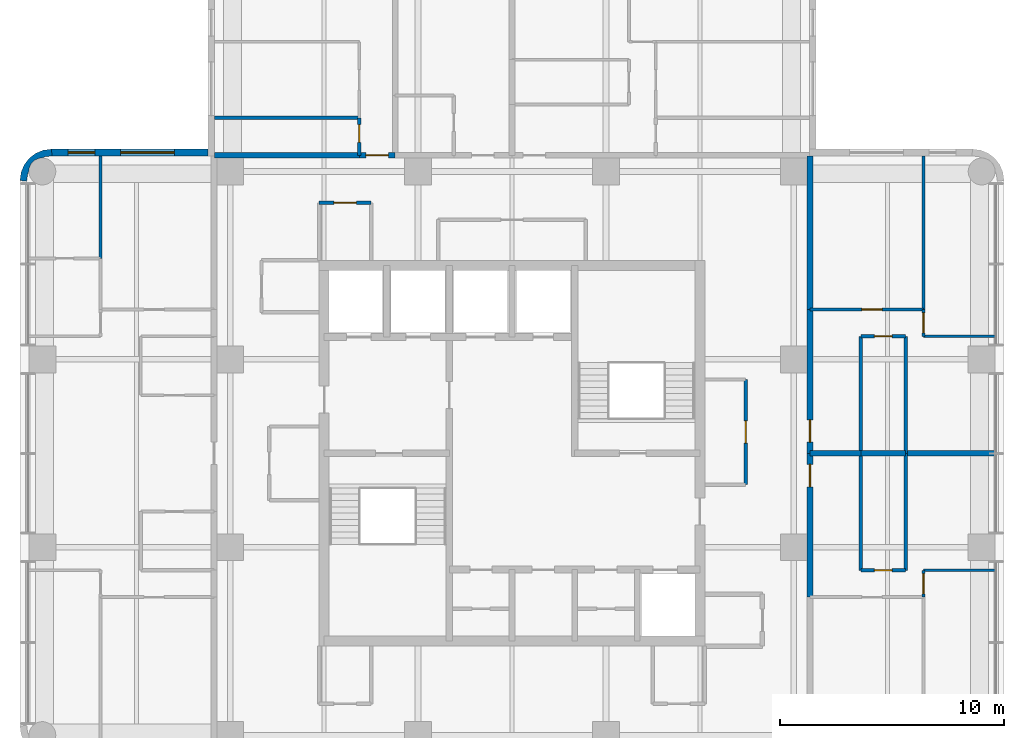
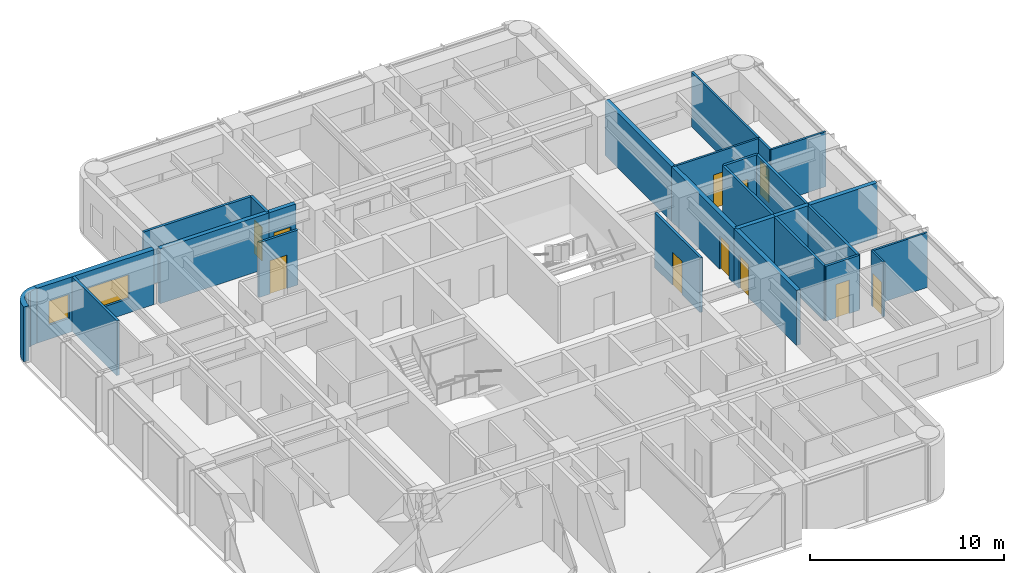
# One storey, part 7 of 10: 27 walls, 11 doors, 2 windows, 13 openings.
"""IFC4 building model written with IfcOpenShell, lengths in metres."""

import ifcopenshell
import ifcopenshell.guid

model = None  # the IFC model being written
_history = None  # IfcOwnerHistory: only IFC2X3 demands one
_inside = {}  # id of a spatial element -> (the spatial element, [elements in it])
_under = {}  # id of a project, library or spatial element -> (it, [spatial elements below it])
_declared = {}  # id of a project -> (the project, [libraries it declares])
_typed = {}  # id of a type object -> (the type object, [elements of that type])
_made_of = {}  # id of a material, layer set ... -> (it, [elements and type objects made of it])


def new_model(schema):
    """Start an empty IFC model of exactly this schema.

    Asked for "IFC4X3", IfcOpenShell would pick the latest addendum, in which some entities
    have other attributes; the version numbers below select the first issue.
    IFC2X3 requires an IfcOwnerHistory on every rooted entity: one is made here for all.
    """
    global model, _history
    if schema == "IFC4X3":
        model = ifcopenshell.file(schema_version=(4, 3, 0, 0))
    else:
        model = ifcopenshell.file(schema=schema)
    _inside.clear()
    _under.clear()
    _declared.clear()
    _typed.clear()
    _made_of.clear()
    _history = None
    if model.schema == "IFC2X3":
        org = make("IfcOrganization", Name="unknown")
        user = make(
            "IfcPersonAndOrganization",
            ThePerson=make("IfcPerson", FamilyName="unknown"),
            TheOrganization=org,
        )
        app = make(
            "IfcApplication",
            ApplicationDeveloper=org,
            Version="unknown",
            ApplicationFullName="unknown",
            ApplicationIdentifier="unknown",
        )
        _history = make(
            "IfcOwnerHistory",
            OwningUser=user,
            OwningApplication=app,
            ChangeAction="ADDED",
            CreationDate=0,
        )
    return model


def make(cls, **values):
    """One entity of the class cls with the attributes given. An attribute that is None is left unset."""
    return model.create_entity(
        cls, **{name: value for name, value in values.items() if value is not None}
    )


def rooted(cls, **values):
    """An entity with a GlobalId (a new one), such as an element, a storey or a relation."""
    return make(cls, GlobalId=ifcopenshell.guid.new(), OwnerHistory=_history, **values)


def si_unit(unit_type, name, prefix=None):
    """IfcSIUnit, for example si_unit("LENGTHUNIT", "METRE", prefix="MILLI")."""
    return make("IfcSIUnit", UnitType=unit_type, Prefix=prefix, Name=name)


def assignment(units):
    """IfcUnitAssignment: the units of a project."""
    return None if units is None else make("IfcUnitAssignment", Units=units)


def point(xyz):
    """IfcCartesianPoint."""
    return None if xyz is None else make("IfcCartesianPoint", Coordinates=xyz)


def direction(xyz):
    """IfcDirection."""
    return None if xyz is None else make("IfcDirection", DirectionRatios=xyz)


def frame(location, z_axis=None, x_axis=None):
    """IfcAxis2Placement3D, a coordinate frame: its origin and axes. An axis left out is left unset."""
    return make(
        "IfcAxis2Placement3D",
        Location=point(location),
        Axis=direction(z_axis),
        RefDirection=direction(x_axis),
    )


def frame_2d(location, x_axis=None):
    """IfcAxis2Placement2D, a coordinate frame in the plane: its origin and x axis."""
    return make(
        "IfcAxis2Placement2D", Location=point(location), RefDirection=direction(x_axis)
    )


def origin():
    """The frame at (0, 0, 0) with its axes left unset."""
    return frame((0.0, 0.0, 0.0))


def place(relative_to, where):
    """IfcLocalPlacement: puts the frame where relative to a parent placement (None: the world)."""
    return make(
        "IfcLocalPlacement", PlacementRelTo=relative_to, RelativePlacement=where
    )


def context(
    kind, dimensions, precision=None, world=None, true_north=None, identifier=None
):
    """IfcGeometricRepresentationContext, for example the 3D "Model" context."""
    return make(
        "IfcGeometricRepresentationContext",
        ContextIdentifier=identifier,
        ContextType=kind,
        CoordinateSpaceDimension=dimensions,
        Precision=precision,
        WorldCoordinateSystem=world,
        TrueNorth=true_north,
    )


def subcontext(parent, identifier, kind, view, scale=None):
    """IfcGeometricRepresentationSubContext, for example "Body" below "Model"."""
    return make(
        "IfcGeometricRepresentationSubContext",
        ContextIdentifier=identifier,
        ContextType=kind,
        ParentContext=parent,
        TargetScale=scale,
        TargetView=view,
    )


def project(units=None, contexts=None):
    """IfcProject with its units and contexts."""
    return rooted(
        "IfcProject",
        Name="project",
        RepresentationContexts=contexts,
        UnitsInContext=assignment(units),
    )


def spatial(cls, under=None, at=None, **own):
    """A site, building, storey or space (cls), placed at a placement, below another one or the project."""
    s = rooted(cls, ObjectPlacement=at, **own)
    if under is not None:
        _under.setdefault(under.id(), (under, []))[1].append(s)
    return s


def polyline(points):
    """IfcPolyline through the points."""
    return make("IfcPolyline", Points=[point(p) for p in points])


def profile(cls, at=None, kind="AREA", **sizes):
    """A parametric profile (cls). Its sizes go by their IFC names, for example OverallWidth=200.0."""
    return make(cls, ProfileType=kind, Position=at, **sizes)


def rectangle(**sizes):
    """IfcRectangleProfileDef."""
    return profile("IfcRectangleProfileDef", **sizes)


def outline(outer, holes=None, kind="AREA"):
    """IfcArbitraryClosedProfileDef: a profile drawn as a closed curve; with holes, ...WithVoids."""
    if holes is None:
        return make("IfcArbitraryClosedProfileDef", ProfileType=kind, OuterCurve=outer)
    return make(
        "IfcArbitraryProfileDefWithVoids",
        ProfileType=kind,
        OuterCurve=outer,
        InnerCurves=holes,
    )


def extrude(swept, where, along, depth):
    """IfcExtrudedAreaSolid: the profile swept, set in the frame where, extruded along a direction by depth."""
    return make(
        "IfcExtrudedAreaSolid",
        SweptArea=swept,
        Position=where,
        ExtrudedDirection=direction(along),
        Depth=depth,
    )


def shape(context_of_items, identifier, shape_type, items):
    """IfcShapeRepresentation: the items that make up one representation, for example the "Body"."""
    return make(
        "IfcShapeRepresentation",
        ContextOfItems=context_of_items,
        RepresentationIdentifier=identifier,
        RepresentationType=shape_type,
        Items=items,
    )


def material(Name=None, Category=None):
    """IfcMaterial."""
    return make("IfcMaterial", Name=Name, Category=Category)


def layer(
    of_material, thickness, ventilated=None, Name=None, Category=None, Priority=None
):
    """IfcMaterialLayer: one layer of a wall or slab, of a material (None: an air gap)."""
    return make(
        "IfcMaterialLayer",
        Material=of_material,
        LayerThickness=thickness,
        IsVentilated=ventilated,
        Name=Name,
        Category=Category,
        Priority=Priority,
    )


def layer_set(layers, Name=None):
    """IfcMaterialLayerSet."""
    return make("IfcMaterialLayerSet", MaterialLayers=layers, LayerSetName=Name)


def made_of(thing, what):
    """Note that an element or type object is made of a material, layer set ...; save() writes the relation."""
    if what is not None:
        _made_of.setdefault(what.id(), (what, []))[1].append(thing)
    return thing


def type_object(cls, material=None, **own):
    """A type object (cls), such as IfcWallType, which elements share."""
    return made_of(rooted(cls, **own), material)


def element(
    cls,
    number,
    at=None,
    inside=None,
    cuts=None,
    type_object=None,
    material=None,
    context=None,
    identifier="Body",
    shape_type=None,
    held_by="IfcProductDefinitionShape",
    body=None,
    shapes=None,
    **own,
):
    """One element of the class cls, such as IfcWall. Its Tag is "e" and its number.

    at: its placement. inside: the storey or other place that contains it. cuts: it is an
    opening in that element (IfcRelVoidsElement). A single representation is given by context,
    identifier, shape_type and body (its items); several are given by shapes. held_by: the class
    of the entity that holds the representations. save() writes the other relations.
    """
    e = rooted(cls, Tag="e%d" % number, ObjectPlacement=at, **own)
    if body is not None:
        shapes = [shape(context, identifier, shape_type, body)]
    if shapes is not None:
        e.Representation = make(held_by, Representations=shapes)
    if inside is not None:
        _inside.setdefault(inside.id(), (inside, []))[1].append(e)
    if cuts is not None:
        rooted(
            "IfcRelVoidsElement", RelatingBuildingElement=cuts, RelatedOpeningElement=e
        )
    if type_object is not None:
        _typed.setdefault(type_object.id(), (type_object, []))[1].append(e)
    return made_of(e, material)


def fill(opening, filler):
    """IfcRelFillsElement: the door or window that sits in an opening."""
    return rooted(
        "IfcRelFillsElement",
        RelatingOpeningElement=opening,
        RelatedBuildingElement=filler,
    )


def aggregate(whole, parts):
    """IfcRelAggregates: a whole, such as a stair, and the parts it consists of."""
    return rooted("IfcRelAggregates", RelatingObject=whole, RelatedObjects=parts)


def save(model, path):
    """Write the relations noted so far, then the file.

    IfcRelAggregates (storeys below a building ...), IfcRelContainedInSpatialStructure (elements
    in a storey), IfcRelDefinesByType, IfcRelAssociatesMaterial and IfcRelDeclares: one each for
    every whole, place, type object, material and project.
    """
    for whole, parts in _under.values():
        aggregate(whole, parts)
    for where, things in _inside.values():
        rooted(
            "IfcRelContainedInSpatialStructure",
            RelatedElements=things,
            RelatingStructure=where,
        )
    for kind, things in _typed.values():
        rooted("IfcRelDefinesByType", RelatedObjects=things, RelatingType=kind)
    for what, things in _made_of.values():
        rooted("IfcRelAssociatesMaterial", RelatedObjects=things, RelatingMaterial=what)
    for by, libraries in _declared.values():
        rooted("IfcRelDeclares", RelatingContext=by, RelatedDefinitions=libraries)
    model.write(path)


model = new_model("IFC4")

# Units and contexts
model_context = context("Model", 3, precision=1e-05, world=origin(), true_north=direction((0.0, 1.0)))
body_context = subcontext(model_context, "Body", "Model", "MODEL_VIEW")
ifc_project = project(units=[si_unit("LENGTHUNIT", "METRE"), si_unit("AREAUNIT", "SQUARE_METRE"), si_unit("VOLUMEUNIT", "CUBIC_METRE"), si_unit("PLANEANGLEUNIT", "RADIAN"), si_unit("MASSUNIT", "GRAM", prefix="KILO")], contexts=[model_context])

# Site, building, storey
site_placement = place(None, origin())
site = spatial("IfcSite", under=ifc_project, at=site_placement, CompositionType="ELEMENT")
building_placement = place(site_placement, origin())
building = spatial("IfcBuilding", under=site, at=building_placement, Name="Torre Alcanfor", CompositionType="ELEMENT")
storey_placement = place(building_placement, frame((0.0, 0.0, 279.300048828125)))
storey = spatial("IfcBuildingStorey", under=building, at=storey_placement, Name="L73", CompositionType="ELEMENT", Elevation=279.300048828125)

# Wall, opening, door
ifc_material_1 = material(Name="Concrete block masonry, hollow blocks NMX-C-404 9 MPa", Category="masonry")
ifc_layer_1 = layer(ifc_material_1, 0.25)
ifc_layer_set_1 = layer_set([ifc_layer_1], Name="Apartment entrance wall 250 EI 60")
wall_type_1 = type_object("IfcWallType", Name="Apartment entrance wall 250 EI 60", PredefinedType="PARTITIONING", material=ifc_layer_set_1)
wall_1_placement = place(storey_placement, frame((22.571044921875, 42.72509765625, 0.0), z_axis=(0.0, 0.0, 1.0), x_axis=(1.0, 0.0, 0.0)))
wall_1 = element("IfcWall", 1, at=wall_1_placement, inside=storey, type_object=wall_type_1, Name="Partition L73-CORR / L73-N1B-LIVING", PredefinedType="PARTITIONING", context=body_context, shape_type="SweptSolid", body=[
    extrude(rectangle(XDim=1.599853515625, YDim=0.25, at=frame_2d((0.7998046875, 0.0))), origin(), (0.0, 0.0, 1.0), 3.449951171875),
])
opening_1_placement = place(wall_1_placement, frame((0.300048828125, 0.0, 0.0)))
opening_1 = element("IfcOpeningElement", 2, at=opening_1_placement, cuts=wall_1, Name="Opening D-A1", PredefinedType="OPENING", context=body_context, shape_type="SweptSolid", body=[
    extrude(rectangle(XDim=1.0, YDim=2.10009765625, at=frame_2d((0.5, 1.050048828125))), frame((0.0, 0.135009765625, 0.0), z_axis=(0.0, -1.0, 0.0), x_axis=(1.0, 0.0, 0.0)), (0.0, 0.0, 1.0), 0.27001953125),
])
ifc_material_2 = material(Name="Galvanised steel sheet ASTM A653", Category="steel")
door_type_1 = type_object("IfcDoorType", Name="Apartment entrance door FD60 1000x2100", OperationType="SINGLE_SWING_LEFT", PredefinedType="DOOR", material=ifc_material_2)
door_1_placement = place(opening_1_placement, origin())
door_1 = element("IfcDoor", 3, at=door_1_placement, inside=storey, type_object=door_type_1, Name="Apartment entrance L73-N1B", OperationType="SINGLE_SWING_LEFT", OverallHeight=2.10009765625, OverallWidth=1.0, PredefinedType="DOOR", context=body_context, shape_type="SweptSolid", body=[
    extrude(rectangle(XDim=1.0, YDim=2.10009765625, at=frame_2d((0.5, 1.050048828125))), frame((0.0, 0.02490234375, 0.0), z_axis=(0.0, -1.0, 0.0), x_axis=(1.0, 0.0, 0.0)), (0.0, 0.0, 1.0), 0.050048828125),
])
fill(opening_1, door_1)

# Wall
wall_2_placement = place(storey_placement, frame((16.10009765625, 42.72509765625, 0.0), z_axis=(0.0, 0.0, 1.0), x_axis=(1.0, 0.0, 0.0)))
element("IfcWall", 4, at=wall_2_placement, inside=storey, type_object=wall_type_1, Name="Partition L73-CORR / L73-N1B-BATH", PredefinedType="PARTITIONING", context=body_context, shape_type="SweptSolid", body=[
    extrude(rectangle(XDim=6.470947265625, YDim=0.25, at=frame_2d((3.2353515625, 0.0))), origin(), (0.0, 0.0, 1.0), 3.449951171875),
])

# Wall, opening, door
wall_3_placement = place(storey_placement, frame((42.72509765625, 35.8291015625, 0.0), z_axis=(0.0, 0.0, 1.0), x_axis=(0.0, -1.0, 0.0)))
wall_3 = element("IfcWall", 5, at=wall_3_placement, inside=storey, type_object=wall_type_1, Name="Partition L73-CORR / L73-E1-LIVING", PredefinedType="PARTITIONING", context=body_context, shape_type="SweptSolid", body=[
    extrude(rectangle(XDim=6.42919921875, YDim=0.25, at=frame_2d((3.214599609375, 0.0))), origin(), (0.0, 0.0, 1.0), 3.449951171875),
])
opening_2_placement = place(wall_3_placement, frame((4.928955078125, 0.0, 0.0)))
opening_2 = element("IfcOpeningElement", 6, at=opening_2_placement, cuts=wall_3, Name="Opening D-A1", PredefinedType="OPENING", context=body_context, shape_type="SweptSolid", body=[
    extrude(rectangle(XDim=1.0, YDim=2.10009765625, at=frame_2d((0.5, 1.050048828125))), frame((0.0, 0.135009765625, 0.0), z_axis=(0.0, -1.0, 0.0), x_axis=(1.0, 0.0, 0.0)), (0.0, 0.0, 1.0), 0.27001953125),
])
door_2_placement = place(opening_2_placement, origin())
door_2 = element("IfcDoor", 7, at=door_2_placement, inside=storey, type_object=door_type_1, Name="Apartment entrance L73-E1", OperationType="SINGLE_SWING_RIGHT", OverallHeight=2.10009765625, OverallWidth=1.0, PredefinedType="DOOR", context=body_context, shape_type="SweptSolid", body=[
    extrude(rectangle(XDim=1.0, YDim=2.10009765625, at=frame_2d((0.5, 1.050048828125))), frame((0.0, 0.02490234375, 0.0), z_axis=(0.0, -1.0, 0.0), x_axis=(1.0, 0.0, 0.0)), (0.0, 0.0, 1.0), 0.050048828125),
])
fill(opening_2, door_2)

# Wall
wall_4_placement = place(storey_placement, frame((42.72509765625, 42.699951171875, 0.0), z_axis=(0.0, 0.0, 1.0), x_axis=(0.0, -1.0, 0.0)))
element("IfcWall", 8, at=wall_4_placement, inside=storey, type_object=wall_type_1, Name="Partition L73-CORR / L73-E1-BED2", PredefinedType="PARTITIONING", context=body_context, shape_type="SweptSolid", body=[
    extrude(rectangle(XDim=6.870849609375, YDim=0.25, at=frame_2d((3.435546875, 0.0))), origin(), (0.0, 0.0, 1.0), 3.449951171875),
])

# Wall, opening, door
wall_5_placement = place(storey_placement, frame((42.72509765625, 29.39990234375, 0.0), z_axis=(0.0, 0.0, 1.0), x_axis=(0.0, -1.0, 0.0)))
wall_5 = element("IfcWall", 9, at=wall_5_placement, inside=storey, type_object=wall_type_1, Name="Partition L73-CORR / L73-E2-LIVING", PredefinedType="PARTITIONING", context=body_context, shape_type="SweptSolid", body=[
    extrude(rectangle(XDim=6.428955078125, YDim=0.25, at=frame_2d((3.21435546875, 0.0))), origin(), (0.0, 0.0, 1.0), 3.449951171875),
])
opening_3_placement = place(wall_5_placement, frame((0.5, 0.0, 0.0)))
opening_3 = element("IfcOpeningElement", 10, at=opening_3_placement, cuts=wall_5, Name="Opening D-A1", PredefinedType="OPENING", context=body_context, shape_type="SweptSolid", body=[
    extrude(rectangle(XDim=1.0, YDim=2.10009765625, at=frame_2d((0.5, 1.050048828125))), frame((0.0, 0.135009765625, 0.0), z_axis=(0.0, -1.0, 0.0), x_axis=(1.0, 0.0, 0.0)), (0.0, 0.0, 1.0), 0.27001953125),
])
door_3_placement = place(opening_3_placement, origin())
door_3 = element("IfcDoor", 11, at=door_3_placement, inside=storey, type_object=door_type_1, Name="Apartment entrance L73-E2", OperationType="SINGLE_SWING_LEFT", OverallHeight=2.10009765625, OverallWidth=1.0, PredefinedType="DOOR", context=body_context, shape_type="SweptSolid", body=[
    extrude(rectangle(XDim=1.0, YDim=2.10009765625, at=frame_2d((0.5, 1.050048828125))), frame((0.0, 0.02490234375, 0.0), z_axis=(0.0, -1.0, 0.0), x_axis=(1.0, 0.0, 0.0)), (0.0, 0.0, 1.0), 0.050048828125),
])
fill(opening_3, door_3)

ifc_material_3 = material(Name="Gypsum board on steel studs", Category="steel")
ifc_layer_2 = layer(ifc_material_3, 0.1201171875)
ifc_layer_set_2 = layer_set([ifc_layer_2], Name="Apartment partition 120")
wall_type_2 = type_object("IfcWallType", Name="Apartment partition 120", PredefinedType="PARTITIONING", material=ifc_layer_set_2)
wall_6_placement = place(storey_placement, frame((42.72509765625, 35.8291015625, 0.0), z_axis=(0.0, 0.0, 1.0), x_axis=(1.0, 0.0, 0.0)))
wall_6 = element("IfcWall", 12, at=wall_6_placement, inside=storey, type_object=wall_type_2, Name="Partition L73-E1-LIVING / L73-E1-BED2", PredefinedType="PARTITIONING", context=body_context, shape_type="SweptSolid", body=[
    extrude(rectangle(XDim=5.074951171875, YDim=0.1201171875, at=frame_2d((2.53759765625, 0.0))), origin(), (0.0, 0.0, 1.0), 3.449951171875),
])
opening_4_placement = place(wall_6_placement, frame((2.324951171875, 0.0, 0.0)))
opening_4 = element("IfcOpeningElement", 13, at=opening_4_placement, cuts=wall_6, Name="Opening D-R1", PredefinedType="OPENING", context=body_context, shape_type="SweptSolid", body=[
    extrude(rectangle(XDim=0.89990234375, YDim=2.10009765625, at=frame_2d((0.449951171875, 1.050048828125))), frame((0.0, 0.070068359375, 0.0), z_axis=(0.0, -1.0, 0.0), x_axis=(1.0, 0.0, 0.0)), (0.0, 0.0, 1.0), 0.14013671875),
])
ifc_material_4 = material(Name="Timber", Category="wood")
door_type_2 = type_object("IfcDoorType", Name="Internal door 900x2100", OperationType="SINGLE_SWING_LEFT", PredefinedType="DOOR", material=ifc_material_4)
door_4_placement = place(opening_4_placement, origin())
door_4 = element("IfcDoor", 14, at=door_4_placement, inside=storey, type_object=door_type_2, Name="Door L73-E1 bed2", OperationType="SINGLE_SWING_RIGHT", OverallHeight=2.10009765625, OverallWidth=0.89990234375, PredefinedType="DOOR", context=body_context, shape_type="SweptSolid", body=[
    extrude(rectangle(XDim=0.89990234375, YDim=2.10009765625, at=frame_2d((0.449951171875, 1.050048828125))), frame((0.0, 0.02490234375, 0.0), z_axis=(0.0, -1.0, 0.0), x_axis=(1.0, 0.0, 0.0)), (0.0, 0.0, 1.0), 0.050048828125),
])
fill(opening_4, door_4)

wall_7_placement = place(storey_placement, frame((47.800048828125, 35.8291015625, 0.0), z_axis=(0.0, 0.0, 1.0), x_axis=(0.0, -1.0, 0.0)))
wall_7 = element("IfcWall", 15, at=wall_7_placement, inside=storey, type_object=wall_type_2, Name="Partition L73-E1-LIVING / L73-E1-MASTER", PredefinedType="PARTITIONING", context=body_context, shape_type="SweptSolid", body=[
    extrude(rectangle(XDim=1.2001953125, YDim=0.1201171875, at=frame_2d((0.60009765625, 0.0))), origin(), (0.0, 0.0, 1.0), 3.449951171875),
])
opening_5_placement = place(wall_7_placement, frame((0.14892578125, 0.0, 0.0)))
opening_5 = element("IfcOpeningElement", 16, at=opening_5_placement, cuts=wall_7, Name="Opening D-R1", PredefinedType="OPENING", context=body_context, shape_type="SweptSolid", body=[
    extrude(rectangle(XDim=0.89990234375, YDim=2.10009765625, at=frame_2d((0.449951171875, 1.050048828125))), frame((0.0, 0.070068359375, 0.0), z_axis=(0.0, -1.0, 0.0), x_axis=(1.0, 0.0, 0.0)), (0.0, 0.0, 1.0), 0.14013671875),
])
door_5_placement = place(opening_5_placement, origin())
door_5 = element("IfcDoor", 17, at=door_5_placement, inside=storey, type_object=door_type_2, Name="Door L73-E1 master", OperationType="SINGLE_SWING_RIGHT", OverallHeight=2.10009765625, OverallWidth=0.89990234375, PredefinedType="DOOR", context=body_context, shape_type="SweptSolid", body=[
    extrude(rectangle(XDim=0.89990234375, YDim=2.10009765625, at=frame_2d((0.449951171875, 1.050048828125))), frame((0.0, 0.02490234375, 0.0), z_axis=(0.0, -1.0, 0.0), x_axis=(1.0, 0.0, 0.0)), (0.0, 0.0, 1.0), 0.050048828125),
])
fill(opening_5, door_5)

# Walls
wall_8_placement = place(storey_placement, frame((47.800048828125, 34.62890625, 0.0), z_axis=(0.0, 0.0, 1.0), x_axis=(1.0, 0.0, 0.0)))
element("IfcWall", 18, at=wall_8_placement, inside=storey, type_object=wall_type_2, Name="Partition L73-E1-LIVING / L73-E1-MASTER", PredefinedType="PARTITIONING", context=body_context, shape_type="SweptSolid", body=[
    extrude(rectangle(XDim=3.25, YDim=0.1201171875, at=frame_2d((1.625, 0.0))), origin(), (0.0, 0.0, 1.0), 3.449951171875),
])
wall_9_placement = place(storey_placement, frame((47.800048828125, 35.8291015625, 0.0), z_axis=(0.0, 0.0, 1.0), x_axis=(0.0, 1.0, 0.0)))
element("IfcWall", 19, at=wall_9_placement, inside=storey, type_object=wall_type_2, Name="Partition L73-E1-BED2 / L73-E1-MASTER", PredefinedType="PARTITIONING", context=body_context, shape_type="SweptSolid", body=[
    extrude(rectangle(XDim=6.870849609375, YDim=0.1201171875, at=frame_2d((3.435546875, 0.0))), origin(), (0.0, 0.0, 1.0), 3.449951171875),
])
wall_10_placement = place(storey_placement, frame((51.050048828125, 24.1708984375, 0.0), z_axis=(0.0, 0.0, 1.0), x_axis=(-1.0, 0.0, 0.0)))
element("IfcWall", 20, at=wall_10_placement, inside=storey, type_object=wall_type_2, Name="Partition L73-E2-LIVING / L73-E2-MASTER", PredefinedType="PARTITIONING", context=body_context, shape_type="SweptSolid", body=[
    extrude(rectangle(XDim=3.25, YDim=0.1201171875, at=frame_2d((1.625, 0.0))), origin(), (0.0, 0.0, 1.0), 3.449951171875),
])

# Wall, opening, door
wall_11_placement = place(storey_placement, frame((47.800048828125, 24.1708984375, 0.0), z_axis=(0.0, 0.0, 1.0), x_axis=(0.0, -1.0, 0.0)))
wall_11 = element("IfcWall", 21, at=wall_11_placement, inside=storey, type_object=wall_type_2, Name="Partition L73-E2-LIVING / L73-E2-MASTER", PredefinedType="PARTITIONING", context=body_context, shape_type="SweptSolid", body=[
    extrude(rectangle(XDim=1.199951171875, YDim=0.1201171875, at=frame_2d((0.60009765625, 0.0))), origin(), (0.0, 0.0, 1.0), 3.449951171875),
])
opening_6_placement = place(wall_11_placement, frame((0.15087890625, 0.0, 0.0)))
opening_6 = element("IfcOpeningElement", 22, at=opening_6_placement, cuts=wall_11, Name="Opening D-R1", PredefinedType="OPENING", context=body_context, shape_type="SweptSolid", body=[
    extrude(rectangle(XDim=0.89990234375, YDim=2.10009765625, at=frame_2d((0.449951171875, 1.050048828125))), frame((0.0, 0.070068359375, 0.0), z_axis=(0.0, -1.0, 0.0), x_axis=(1.0, 0.0, 0.0)), (0.0, 0.0, 1.0), 0.14013671875),
])
door_6_placement = place(opening_6_placement, origin())
door_6 = element("IfcDoor", 23, at=door_6_placement, inside=storey, type_object=door_type_2, Name="Door L73-E2 master", OperationType="SINGLE_SWING_LEFT", OverallHeight=2.10009765625, OverallWidth=0.89990234375, PredefinedType="DOOR", context=body_context, shape_type="SweptSolid", body=[
    extrude(rectangle(XDim=0.89990234375, YDim=2.10009765625, at=frame_2d((0.449951171875, 1.050048828125))), frame((0.0, 0.02490234375, 0.0), z_axis=(0.0, -1.0, 0.0), x_axis=(1.0, 0.0, 0.0)), (0.0, 0.0, 1.0), 0.050048828125),
])
fill(opening_6, door_6)

# Wall, openings, windows
ifc_material_5 = material(Name="Limestone cladding", Category="masonry")
ifc_layer_3 = layer(ifc_material_5, 0.0400390625, Name="Facing")
ifc_material_6 = material(Name="Ventilated air cavity")
ifc_layer_4 = layer(ifc_material_6, 0.02001953125, ventilated=True, Name="Ventilated joint")
ifc_material_7 = material(Name="Mineral wool insulation", Category="insulation")
ifc_layer_5 = layer(ifc_material_7, 0.10009765625, Name="Insulation")
ifc_material_8 = material(Name="Concrete f'c 35 MPa", Category="concrete")
ifc_layer_6 = layer(ifc_material_8, 0.139892578125, Name="Backing")
ifc_layer_set_3 = layer_set([ifc_layer_3, ifc_layer_4, ifc_layer_5, ifc_layer_6], Name="External wall stone-clad 300")
wall_type_3 = type_object("IfcWallType", Name="External wall stone-clad 300", PredefinedType="SOLIDWALL", material=ifc_layer_set_3)
wall_12_placement = place(storey_placement, frame((15.800048828125, 42.85009765625, 0.0), z_axis=(0.0, 0.0, 1.0), x_axis=(-1.0, 0.0, 0.0)))
wall_12 = element("IfcWall", 24, at=wall_12_placement, inside=storey, type_object=wall_type_3, Name="External wall L73 1", PredefinedType="SOLIDWALL", context=body_context, shape_type="SweptSolid", body=[
    extrude(rectangle(XDim=7.0, YDim=0.300048828125, at=frame_2d((3.5, 0.0))), origin(), (0.0, 0.0, 1.0), 3.449951171875),
])
opening_7_placement = place(wall_12_placement, frame((1.5, 0.0, 0.89990234375)))
opening_7 = element("IfcOpeningElement", 25, at=opening_7_placement, cuts=wall_12, Name="Opening W1", PredefinedType="OPENING", context=body_context, shape_type="SweptSolid", body=[
    extrude(rectangle(XDim=2.39990234375, YDim=1.5, at=frame_2d((1.199951171875, 0.75))), frame((0.0, 0.159912109375, 0.0), z_axis=(0.0, -1.0, 0.0), x_axis=(1.0, 0.0, 0.0)), (0.0, 0.0, 1.0), 0.320068359375),
])
opening_8_placement = place(wall_12_placement, frame((5.050048828125, 0.0, 0.89990234375)))
opening_8 = element("IfcOpeningElement", 26, at=opening_8_placement, cuts=wall_12, Name="Opening W4", PredefinedType="OPENING", context=body_context, shape_type="SweptSolid", body=[
    extrude(rectangle(XDim=1.199951171875, YDim=1.5, at=frame_2d((0.60009765625, 0.75))), frame((0.0, 0.159912109375, 0.0), z_axis=(0.0, -1.0, 0.0), x_axis=(1.0, 0.0, 0.0)), (0.0, 0.0, 1.0), 0.320068359375),
])
ifc_material_9 = material(Name="Aluminium frame with clear double glazing", Category="aluminium")
window_type_1 = type_object("IfcWindowType", Name="Window bedroom 1200x1500", PartitioningType="SINGLE_PANEL", PredefinedType="WINDOW", material=ifc_material_9)
window_1_placement = place(opening_8_placement, origin())
window_1 = element("IfcWindow", 27, at=window_1_placement, inside=storey, type_object=window_type_1, Name="Window W4 L73-W2", OverallHeight=1.5, OverallWidth=1.199951171875, PartitioningType="SINGLE_PANEL", PredefinedType="WINDOW", context=body_context, shape_type="SweptSolid", body=[
    extrude(rectangle(XDim=1.199951171875, YDim=1.5, at=frame_2d((0.60009765625, 0.75))), frame((0.0, 0.030029296875, 0.0), z_axis=(0.0, -1.0, 0.0), x_axis=(1.0, 0.0, 0.0)), (0.0, 0.0, 1.0), 0.06005859375),
])
fill(opening_8, window_1)
ifc_material_10 = material(Name="Aluminium frame with clear double glazing", Category="aluminium")
window_type_2 = type_object("IfcWindowType", Name="Window bedroom 2400x1500", PartitioningType="SINGLE_PANEL", PredefinedType="WINDOW", material=ifc_material_10)
window_2_placement = place(opening_7_placement, origin())
window_2 = element("IfcWindow", 28, at=window_2_placement, inside=storey, type_object=window_type_2, Name="Window W1 L73-W2", OverallHeight=1.5, OverallWidth=2.39990234375, PartitioningType="SINGLE_PANEL", PredefinedType="WINDOW", context=body_context, shape_type="SweptSolid", body=[
    extrude(rectangle(XDim=2.39990234375, YDim=1.5, at=frame_2d((1.199951171875, 0.75))), frame((0.0, 0.030029296875, 0.0), z_axis=(0.0, -1.0, 0.0), x_axis=(1.0, 0.0, 0.0)), (0.0, 0.0, 1.0), 0.06005859375),
])
fill(opening_7, window_2)

# Walls
ifc_material_11 = material(Name="Concrete block masonry, hollow blocks NMX-C-404 9 MPa", Category="masonry")
ifc_layer_7 = layer(ifc_material_11, 0.25)
ifc_layer_set_4 = layer_set([ifc_layer_7], Name="Party wall 250 EI 60")
wall_type_4 = type_object("IfcWallType", Name="Party wall 250 EI 60", PredefinedType="PARTITIONING", material=ifc_layer_set_4)
wall_13_placement = place(storey_placement, frame((45.0, 29.39990234375, 0.0), z_axis=(0.0, 0.0, 1.0), x_axis=(1.0, 0.0, 0.0)))
element("IfcWall", 29, at=wall_13_placement, inside=storey, type_object=wall_type_4, Name="Partition L73-E1-BATH / L73-E2-BATH", PredefinedType="PARTITIONING", context=body_context, shape_type="SweptSolid", body=[
    extrude(rectangle(XDim=2.0, YDim=0.25, at=frame_2d((1.0, 0.0))), origin(), (0.0, 0.0, 1.0), 3.449951171875),
])
wall_14_placement = place(storey_placement, frame((45.0, 29.39990234375, 0.0), z_axis=(0.0, 0.0, 1.0), x_axis=(-1.0, 0.0, 0.0)))
element("IfcWall", 30, at=wall_14_placement, inside=storey, type_object=wall_type_4, Name="Partition L73-E1-LIVING / L73-E2-LIVING", PredefinedType="PARTITIONING", context=body_context, shape_type="SweptSolid", body=[
    extrude(rectangle(XDim=2.27490234375, YDim=0.25, at=frame_2d((1.137451171875, 0.0))), origin(), (0.0, 0.0, 1.0), 3.449951171875),
])
wall_15_placement = place(storey_placement, frame((51.050048828125, 29.39990234375, 0.0), z_axis=(0.0, 0.0, 1.0), x_axis=(-1.0, 0.0, 0.0)))
element("IfcWall", 31, at=wall_15_placement, inside=storey, type_object=wall_type_4, Name="Partition L73-E1-LIVING / L73-E2-LIVING", PredefinedType="PARTITIONING", context=body_context, shape_type="SweptSolid", body=[
    extrude(rectangle(XDim=4.050048828125, YDim=0.25, at=frame_2d((2.02490234375, 0.0))), origin(), (0.0, 0.0, 1.0), 3.449951171875),
])

# Wall, opening, door
ifc_material_12 = material(Name="Concrete block masonry, hollow blocks NMX-C-404 9 MPa", Category="masonry")
ifc_layer_8 = layer(ifc_material_12, 0.14990234375)
ifc_layer_set_5 = layer_set([ifc_layer_8], Name="Residents' room partition 150")
wall_type_5 = type_object("IfcWallType", Name="Residents' room partition 150", PredefinedType="PARTITIONING", material=ifc_layer_set_5)
wall_16_placement = place(storey_placement, frame((23.10009765625, 40.60009765625, 0.0), z_axis=(0.0, 0.0, 1.0), x_axis=(-1.0, 0.0, 0.0)))
wall_16 = element("IfcWall", 32, at=wall_16_placement, inside=storey, type_object=wall_type_5, Name="Partition L73-CORR / L73-G01", PredefinedType="PARTITIONING", context=body_context, shape_type="SweptSolid", body=[
    extrude(rectangle(XDim=2.3251953125, YDim=0.14990234375, at=frame_2d((1.16259765625, 0.0))), origin(), (0.0, 0.0, 1.0), 3.449951171875),
])
opening_9_placement = place(wall_16_placement, frame((0.66259765625, 0.0, 0.0)))
opening_9 = element("IfcOpeningElement", 33, at=opening_9_placement, cuts=wall_16, Name="Opening D-M1", PredefinedType="OPENING", context=body_context, shape_type="SweptSolid", body=[
    extrude(rectangle(XDim=1.0, YDim=2.10009765625, at=frame_2d((0.5, 1.050048828125))), frame((0.0, 0.0849609375, 0.0), z_axis=(0.0, -1.0, 0.0), x_axis=(1.0, 0.0, 0.0)), (0.0, 0.0, 1.0), 0.169921875),
])
ifc_material_13 = material(Name="Timber", Category="wood")
door_type_3 = type_object("IfcDoorType", Name="Residents' room door 1000x2100", OperationType="SINGLE_SWING_LEFT", PredefinedType="DOOR", material=ifc_material_13)
door_7_placement = place(opening_9_placement, origin())
door_7 = element("IfcDoor", 34, at=door_7_placement, inside=storey, type_object=door_type_3, Name="Door L73-G01 parcel room", OperationType="SINGLE_SWING_LEFT", OverallHeight=2.10009765625, OverallWidth=1.0, PredefinedType="DOOR", context=body_context, shape_type="SweptSolid", body=[
    extrude(rectangle(XDim=1.0, YDim=2.10009765625, at=frame_2d((0.5, 1.050048828125))), frame((0.0, 0.02490234375, 0.0), z_axis=(0.0, -1.0, 0.0), x_axis=(1.0, 0.0, 0.0)), (0.0, 0.0, 1.0), 0.050048828125),
])
fill(opening_9, door_7)

wall_17_placement = place(storey_placement, frame((39.85009765625, 28.0, 0.0), z_axis=(0.0, 0.0, 1.0), x_axis=(0.0, 1.0, 0.0)))
wall_17 = element("IfcWall", 35, at=wall_17_placement, inside=storey, type_object=wall_type_5, Name="Partition L73-CORR / L73-G04", PredefinedType="PARTITIONING", context=body_context, shape_type="SweptSolid", body=[
    extrude(rectangle(XDim=4.699951171875, YDim=0.14990234375, at=frame_2d((2.35009765625, 0.0))), origin(), (0.0, 0.0, 1.0), 3.449951171875),
])
opening_10_placement = place(wall_17_placement, frame((1.85009765625, 0.0, 0.0)))
opening_10 = element("IfcOpeningElement", 36, at=opening_10_placement, cuts=wall_17, Name="Opening D-M1", PredefinedType="OPENING", context=body_context, shape_type="SweptSolid", body=[
    extrude(rectangle(XDim=1.0, YDim=2.10009765625, at=frame_2d((0.5, 1.050048828125))), frame((0.0, 0.0849609375, 0.0), z_axis=(0.0, -1.0, 0.0), x_axis=(1.0, 0.0, 0.0)), (0.0, 0.0, 1.0), 0.169921875),
])
door_8_placement = place(opening_10_placement, origin())
door_8 = element("IfcDoor", 37, at=door_8_placement, inside=storey, type_object=door_type_3, Name="Door L73-G04 linen store", OperationType="SINGLE_SWING_LEFT", OverallHeight=2.10009765625, OverallWidth=1.0, PredefinedType="DOOR", context=body_context, shape_type="SweptSolid", body=[
    extrude(rectangle(XDim=1.0, YDim=2.10009765625, at=frame_2d((0.5, 1.050048828125))), frame((0.0, 0.02490234375, 0.0), z_axis=(0.0, -1.0, 0.0), x_axis=(1.0, 0.0, 0.0)), (0.0, 0.0, 1.0), 0.050048828125),
])
fill(opening_10, door_8)

# Wall
ifc_layer_9 = layer(ifc_material_5, 0.0400390625, Name="Facing")
ifc_layer_10 = layer(ifc_material_6, 0.02001953125, ventilated=True, Name="Ventilated joint")
ifc_layer_11 = layer(ifc_material_7, 0.10009765625, Name="Insulation")
ifc_layer_12 = layer(ifc_material_8, 0.139892578125, Name="Backing")
ifc_layer_set_6 = layer_set([ifc_layer_9, ifc_layer_10, ifc_layer_11, ifc_layer_12], Name="Rounded corner pier stone-clad 300")
wall_type_6 = type_object("IfcWallType", Name="Rounded corner pier stone-clad 300", PredefinedType="SOLIDWALL", material=ifc_layer_set_6)
wall_18_placement = place(storey_placement, frame((8.761581746, 42.575898117, 0.0), z_axis=(0.0, 0.0, 1.0), x_axis=(-0.707106781187, 0.707106781187, 0.0)))
element("IfcWall", 38, at=wall_18_placement, inside=storey, type_object=wall_type_6, Name="Corner pier L73 13", PredefinedType="SOLIDWALL", context=body_context, shape_type="SweptSolid", body=[
    extrude(outline(polyline([(0.23297927971509194, 0.11416555226925892), (0.04670774238592084, -0.12872977027211618), (0.032551796082869844, -0.1428857165751672), (0.27268498276023495, -0.32708565200633083), (0.49520955330453675, -0.03723401977678656), (0.6350426814200405, 0.3004370895984301), (0.6826895250742122, 0.6629674217497361), (0.6350426814200405, 1.025152486918041), (0.49520955330453664, 1.3628235962932576), (0.27285761625173566, 1.6528478620143026), (0.032724429574370495, 1.468647926583139), (0.0467077423859209, 1.4546646137715884), (0.23315191320659262, 1.2115966577387127), (0.29219256729980525, 1.0690013937591991), (0.3577932940700416, 1.0034006669889626), (0.44946167805687187, 0.7826024313596671), (0.44946167805687187, 0.5433324121398051), (0.3579659275615422, 0.322361543019009), (0.29219256729980525, 0.256588182757272), (0.23297927971509194, 0.11416555226925892)])), origin(), (0.0, 0.0, 1.0), 3.449951171875),
])

# Wall, opening, door
ifc_material_14 = material(Name="Cement board on steel studs", Category="steel")
ifc_layer_13 = layer(ifc_material_14, 0.14990234375)
ifc_layer_set_7 = layer_set([ifc_layer_13], Name="Wet area partition 150")
wall_type_7 = type_object("IfcWallType", Name="Wet area partition 150", PredefinedType="PARTITIONING", material=ifc_layer_set_7)
wall_19_placement = place(storey_placement, frame((22.571044921875, 42.72509765625, 0.0), z_axis=(0.0, 0.0, 1.0), x_axis=(0.0, 1.0, 0.0)))
wall_19 = element("IfcWall", 39, at=wall_19_placement, inside=storey, type_object=wall_type_7, Name="Partition L73-N1B-LIVING / L73-N1B-BATH", PredefinedType="PARTITIONING", context=body_context, shape_type="SweptSolid", body=[
    extrude(rectangle(XDim=1.6748046875, YDim=0.14990234375, at=frame_2d((0.83740234375, 0.0))), origin(), (0.0, 0.0, 1.0), 3.449951171875),
])
opening_11_placement = place(wall_19_placement, frame((0.574951171875, 0.0, 0.0)))
opening_11 = element("IfcOpeningElement", 40, at=opening_11_placement, cuts=wall_19, Name="Opening D-R2", PredefinedType="OPENING", context=body_context, shape_type="SweptSolid", body=[
    extrude(rectangle(XDim=0.800048828125, YDim=2.10009765625, at=frame_2d((0.39990234375, 1.050048828125))), frame((0.0, 0.0849609375, 0.0), z_axis=(0.0, -1.0, 0.0), x_axis=(1.0, 0.0, 0.0)), (0.0, 0.0, 1.0), 0.169921875),
])
ifc_material_15 = material(Name="Timber", Category="wood")
door_type_4 = type_object("IfcDoorType", Name="Bathroom door 800x2100", OperationType="SINGLE_SWING_LEFT", PredefinedType="DOOR", material=ifc_material_15)
door_9_placement = place(opening_11_placement, origin())
door_9 = element("IfcDoor", 41, at=door_9_placement, inside=storey, type_object=door_type_4, Name="Door L73-N1B bath", OperationType="SINGLE_SWING_RIGHT", OverallHeight=2.10009765625, OverallWidth=0.800048828125, PredefinedType="DOOR", context=body_context, shape_type="SweptSolid", body=[
    extrude(rectangle(XDim=0.800048828125, YDim=2.10009765625, at=frame_2d((0.39990234375, 1.050048828125))), frame((0.0, 0.02490234375, 0.0), z_axis=(0.0, -1.0, 0.0), x_axis=(1.0, 0.0, 0.0)), (0.0, 0.0, 1.0), 0.050048828125),
])
fill(opening_11, door_9)

# Walls
wall_20_placement = place(storey_placement, frame((22.571044921875, 44.39990234375, 0.0), z_axis=(0.0, 0.0, 1.0), x_axis=(-1.0, 0.0, 0.0)))
element("IfcWall", 42, at=wall_20_placement, inside=storey, type_object=wall_type_7, Name="Partition L73-N1B-BATH / L73-N1B-MASTER", PredefinedType="PARTITIONING", context=body_context, shape_type="SweptSolid", body=[
    extrude(rectangle(XDim=6.470947265625, YDim=0.14990234375, at=frame_2d((3.2353515625, 0.0))), origin(), (0.0, 0.0, 1.0), 3.449951171875),
])
wall_21_placement = place(storey_placement, frame((47.0, 29.39990234375, 0.0), z_axis=(0.0, 0.0, 1.0), x_axis=(0.0, 1.0, 0.0)))
element("IfcWall", 43, at=wall_21_placement, inside=storey, type_object=wall_type_7, Name="Partition L73-E1-BATH / L73-E1-LIVING", PredefinedType="PARTITIONING", context=body_context, shape_type="SweptSolid", body=[
    extrude(rectangle(XDim=5.22900390625, YDim=0.14990234375, at=frame_2d((2.614501953125, 0.0))), origin(), (0.0, 0.0, 1.0), 3.449951171875),
])

# Wall, opening, door
wall_22_placement = place(storey_placement, frame((47.0, 34.62890625, 0.0), z_axis=(0.0, 0.0, 1.0), x_axis=(-1.0, 0.0, 0.0)))
wall_22 = element("IfcWall", 44, at=wall_22_placement, inside=storey, type_object=wall_type_7, Name="Partition L73-E1-BATH / L73-E1-LIVING", PredefinedType="PARTITIONING", context=body_context, shape_type="SweptSolid", body=[
    extrude(rectangle(XDim=2.0, YDim=0.14990234375, at=frame_2d((1.0, 0.0))), origin(), (0.0, 0.0, 1.0), 3.449951171875),
])
opening_12_placement = place(wall_22_placement, frame((0.60009765625, 0.0, 0.0)))
opening_12 = element("IfcOpeningElement", 45, at=opening_12_placement, cuts=wall_22, Name="Opening D-R2", PredefinedType="OPENING", context=body_context, shape_type="SweptSolid", body=[
    extrude(rectangle(XDim=0.800048828125, YDim=2.10009765625, at=frame_2d((0.39990234375, 1.050048828125))), frame((0.0, 0.0849609375, 0.0), z_axis=(0.0, -1.0, 0.0), x_axis=(1.0, 0.0, 0.0)), (0.0, 0.0, 1.0), 0.169921875),
])
door_10_placement = place(opening_12_placement, origin())
door_10 = element("IfcDoor", 46, at=door_10_placement, inside=storey, type_object=door_type_4, Name="Door L73-E1 bath", OperationType="SINGLE_SWING_LEFT", OverallHeight=2.10009765625, OverallWidth=0.800048828125, PredefinedType="DOOR", context=body_context, shape_type="SweptSolid", body=[
    extrude(rectangle(XDim=0.800048828125, YDim=2.10009765625, at=frame_2d((0.39990234375, 1.050048828125))), frame((0.0, 0.02490234375, 0.0), z_axis=(0.0, -1.0, 0.0), x_axis=(1.0, 0.0, 0.0)), (0.0, 0.0, 1.0), 0.050048828125),
])
fill(opening_12, door_10)

# Walls
for number, where, z_axis, x_axis, name in (
    (47, (45.0, 34.62890625, 0.0), (0.0, 0.0, 1.0), (0.0, -1.0, 0.0), "Partition L73-E1-BATH / L73-E1-LIVING"),
    (48, (47.0, 29.39990234375, 0.0), (0.0, 0.0, 1.0), (0.0, -1.0, 0.0), "Partition L73-E2-BATH / L73-E2-LIVING"),
):
    element("IfcWall", number, at=place(storey_placement, frame(where, z_axis=z_axis, x_axis=x_axis)), inside=storey, type_object=wall_type_7, Name=name, PredefinedType="PARTITIONING", context=body_context, shape_type="SweptSolid", body=[
        extrude(rectangle(XDim=5.22900390625, YDim=0.14990234375, at=frame_2d((2.614501953125, 0.0))), origin(), (0.0, 0.0, 1.0), 3.449951171875),
    ])

# Wall, opening, door
wall_23_placement = place(storey_placement, frame((47.0, 24.1708984375, 0.0), z_axis=(0.0, 0.0, 1.0), x_axis=(-1.0, 0.0, 0.0)))
wall_23 = element("IfcWall", 49, at=wall_23_placement, inside=storey, type_object=wall_type_7, Name="Partition L73-E2-BATH / L73-E2-LIVING", PredefinedType="PARTITIONING", context=body_context, shape_type="SweptSolid", body=[
    extrude(rectangle(XDim=2.0, YDim=0.14990234375, at=frame_2d((1.0, 0.0))), origin(), (0.0, 0.0, 1.0), 3.449951171875),
])
opening_13_placement = place(wall_23_placement, frame((0.60009765625, 0.0, 0.0)))
opening_13 = element("IfcOpeningElement", 50, at=opening_13_placement, cuts=wall_23, Name="Opening D-R2", PredefinedType="OPENING", context=body_context, shape_type="SweptSolid", body=[
    extrude(rectangle(XDim=0.800048828125, YDim=2.10009765625, at=frame_2d((0.39990234375, 1.050048828125))), frame((0.0, 0.0849609375, 0.0), z_axis=(0.0, -1.0, 0.0), x_axis=(1.0, 0.0, 0.0)), (0.0, 0.0, 1.0), 0.169921875),
])
door_11_placement = place(opening_13_placement, frame((0.800048828125, 0.0, 0.0), z_axis=(0.0, 0.0, 1.0), x_axis=(-1.0, 0.0, 0.0)))
door_11 = element("IfcDoor", 51, at=door_11_placement, inside=storey, type_object=door_type_4, Name="Door L73-E2 bath", OperationType="SINGLE_SWING_RIGHT", OverallHeight=2.10009765625, OverallWidth=0.800048828125, PredefinedType="DOOR", context=body_context, shape_type="SweptSolid", body=[
    extrude(rectangle(XDim=0.800048828125, YDim=2.10009765625, at=frame_2d((0.400146484375, 1.050048828125))), frame((0.0, 0.025146484375, 0.0), z_axis=(0.0, -1.0, 0.0), x_axis=(1.0, 0.0, 0.0)), (0.0, 0.0, 1.0), 0.050048828125),
])
fill(opening_13, door_11)

# Walls
wall_24_placement = place(storey_placement, frame((45.0, 24.1708984375, 0.0), z_axis=(0.0, 0.0, 1.0), x_axis=(0.0, 1.0, 0.0)))
element("IfcWall", 52, at=wall_24_placement, inside=storey, type_object=wall_type_7, Name="Partition L73-E2-BATH / L73-E2-LIVING", PredefinedType="PARTITIONING", context=body_context, shape_type="SweptSolid", body=[
    extrude(rectangle(XDim=5.22900390625, YDim=0.14990234375, at=frame_2d((2.614501953125, 0.0))), origin(), (0.0, 0.0, 1.0), 3.449951171875),
])
wall_25_placement = place(storey_placement, frame((11.0, 42.699951171875, 0.0), z_axis=(0.0, 0.0, 1.0), x_axis=(0.0, -1.0, 0.0)))
element("IfcWall", 53, at=wall_25_placement, inside=storey, type_object=wall_type_7, Name="Partition L73-WX-BED3 / L73-WX-BATH1", PredefinedType="PARTITIONING", context=body_context, shape_type="SweptSolid", body=[
    extrude(rectangle(XDim=4.5859375, YDim=0.14990234375, at=frame_2d((2.29296875, 0.0))), origin(), (0.0, 0.0, 1.0), 3.449951171875),
])

save(model, "model.ifc")
